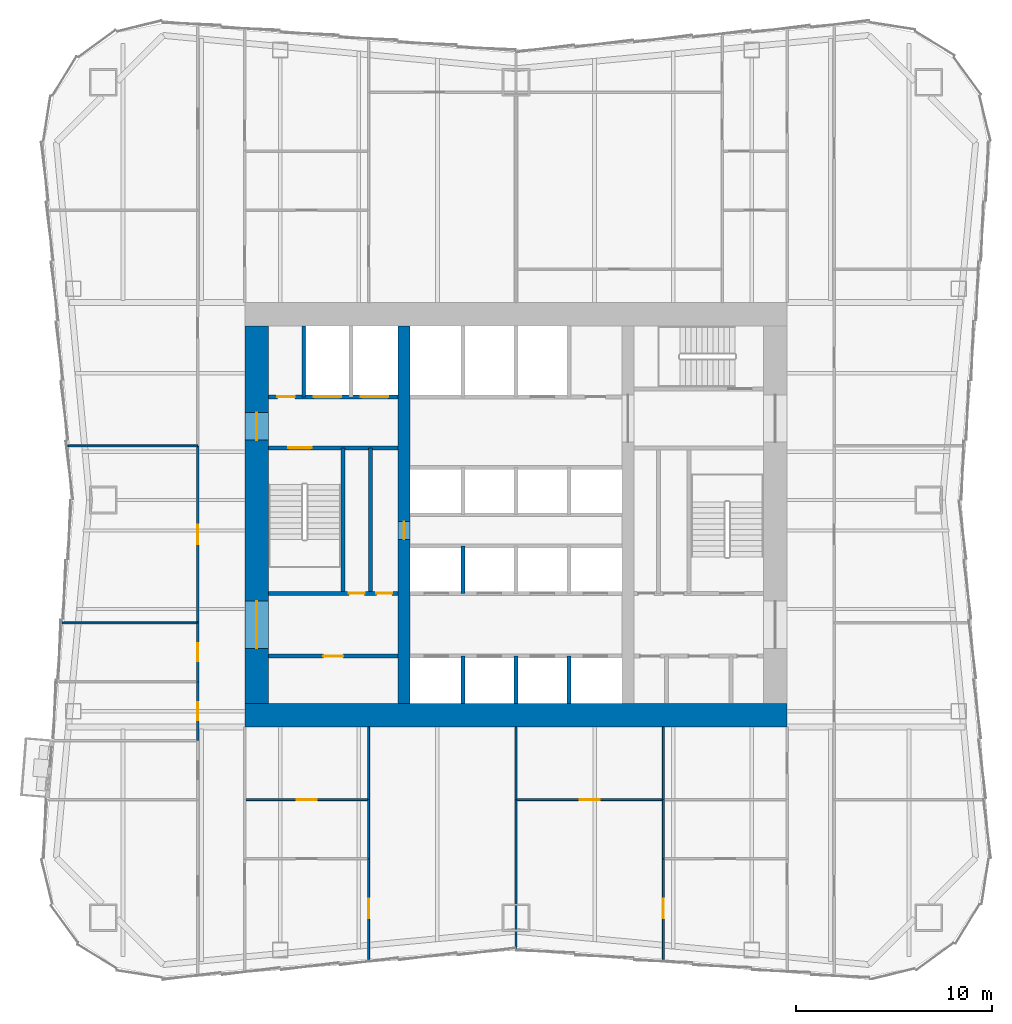
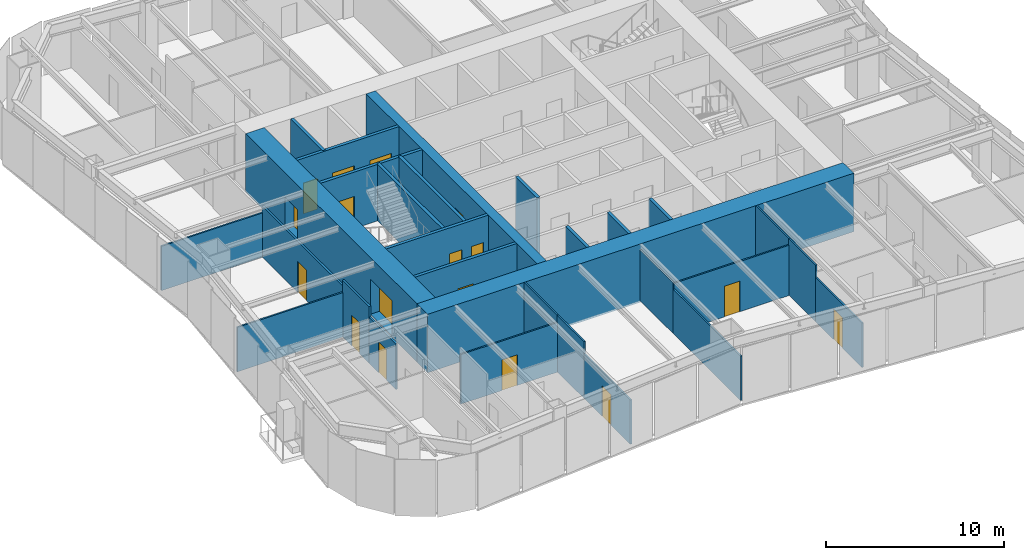
# One storey, part 4 of 9: 29 walls, 17 doors, 17 openings.
"""IFC4 building model written with IfcOpenShell, lengths in metres."""

from ifc_helpers import new_model, si_unit, direction, frame, frame_2d, origin, place, context, subcontext, project, spatial, rectangle, extrude, material, layer, layer_set, type_object, element, fill, save


model = new_model("IFC4")

# Units and contexts
model_context = context("Model", 3, precision=1e-05, world=origin(), true_north=direction((0.0, 1.0)))
body_context = subcontext(model_context, "Body", "Model", "MODEL_VIEW")
ifc_project = project(units=[si_unit("LENGTHUNIT", "METRE"), si_unit("AREAUNIT", "SQUARE_METRE"), si_unit("VOLUMEUNIT", "CUBIC_METRE"), si_unit("PLANEANGLEUNIT", "RADIAN"), si_unit("MASSUNIT", "GRAM", prefix="KILO")], contexts=[model_context])

# Site, building, storey
site_placement = place(None, origin())
site = spatial("IfcSite", under=ifc_project, at=site_placement, CompositionType="ELEMENT")
building_placement = place(site_placement, origin())
building = spatial("IfcBuilding", under=site, at=building_placement, Name="Verdant Reach Tower", CompositionType="ELEMENT")
storey_placement = place(building_placement, frame((0.0, 0.0, 102.0)))
storey = spatial("IfcBuildingStorey", under=building, at=storey_placement, Name="L23", CompositionType="ELEMENT", Elevation=102.0)

# Wall, opening, door
ifc_material_1 = material(Name="Gypsum board on steel studs", Category="steel")
ifc_layer_1 = layer(ifc_material_1, 0.199951171875)
ifc_layer_set_1 = layer_set([ifc_layer_1], Name="CO-WALL-ROOM")
wall_type_1 = type_object("IfcWallType", Name="CO-WALL-ROOM", PredefinedType="PARTITIONING", material=ifc_layer_set_1)
wall_1_placement = place(storey_placement, frame((-12.60009765625, 20.800048828125, 0.0), z_axis=(0.0, 0.0, 1.0), x_axis=(1.0, 0.0, 0.0)))
wall_1 = element("IfcWall", 1, at=wall_1_placement, inside=storey, type_object=wall_type_1, Name="Core partition, L23", PredefinedType="PARTITIONING", context=body_context, shape_type="SweptSolid", body=[
    extrude(rectangle(XDim=6.60009765625, YDim=0.199951171875, at=frame_2d((3.300048828125, 0.0))), origin(), (0.0, 0.0, 1.0), 3.8701171875),
])
opening_1_placement = place(wall_1_placement, frame((2.800048828125, 0.0, 0.0)))
opening_1 = element("IfcOpeningElement", 2, at=opening_1_placement, cuts=wall_1, Name="Opening CD", PredefinedType="OPENING", context=body_context, shape_type="SweptSolid", body=[
    extrude(rectangle(XDim=1.0, YDim=2.10009765625, at=frame_2d((0.5, 1.050048828125))), frame((0.0, 0.10986328125, 0.0), z_axis=(0.0, -1.0, 0.0), x_axis=(1.0, 0.0, 0.0)), (0.0, 0.0, 1.0), 0.219970703125),
])
ifc_material_2 = material(Name="Timber", Category="wood")
door_type_1 = type_object("IfcDoorType", Name="CO-DOOR-ROOM", OperationType="NOTDEFINED", PredefinedType="DOOR", material=ifc_material_2)
door_1_placement = place(opening_1_placement, origin())
door_1 = element("IfcDoor", 3, at=door_1_placement, inside=storey, type_object=door_type_1, Name="Core room door, L23", OperationType="SINGLE_SWING_LEFT", OverallHeight=2.10009765625, OverallWidth=1.0, PredefinedType="DOOR", context=body_context, shape_type="SweptSolid", body=[
    extrude(rectangle(XDim=1.0, YDim=2.10009765625, at=frame_2d((0.5, 1.050048828125))), frame((0.0, 0.02490234375, 0.0), z_axis=(0.0, -1.0, 0.0), x_axis=(1.0, 0.0, 0.0)), (0.0, 0.0, 1.0), 0.050048828125),
])
fill(opening_1, door_1)

# Wall
wall_2_placement = place(storey_placement, frame((-7.39990234375, 24.0, 0.0), z_axis=(0.0, 0.0, 1.0), x_axis=(0.0, 1.0, 0.0)))
element("IfcWall", 4, at=wall_2_placement, inside=storey, type_object=wall_type_1, Name="Core partition, L23", PredefinedType="PARTITIONING", context=body_context, shape_type="SweptSolid", body=[
    extrude(rectangle(XDim=7.39990234375, YDim=0.199951171875, at=frame_2d((3.699951171875, 0.0))), origin(), (0.0, 0.0, 1.0), 3.8701171875),
])

# Wall, openings, doors
ifc_material_3 = material(Name="Concrete C40/50", Category="concrete")
ifc_layer_2 = layer(ifc_material_3, 0.199951171875)
ifc_layer_set_2 = layer_set([ifc_layer_2], Name="CO-WALL-SHAFT")
wall_type_2 = type_object("IfcWallType", Name="CO-WALL-SHAFT", PredefinedType="PARTITIONING", material=ifc_layer_set_2)
wall_3_placement = place(storey_placement, frame((-12.60009765625, 34.0, 0.0), z_axis=(0.0, 0.0, 1.0), x_axis=(1.0, 0.0, 0.0)))
wall_3 = element("IfcWall", 5, at=wall_3_placement, inside=storey, type_object=wall_type_2, Name="Lift shaft wall, L23", PredefinedType="PARTITIONING", context=body_context, shape_type="SweptSolid", body=[
    extrude(rectangle(XDim=6.60009765625, YDim=0.199951171875, at=frame_2d((3.300048828125, 0.0))), origin(), (0.0, 0.0, 1.0), 3.8701171875),
])
opening_2_placement = place(wall_3_placement, frame((4.699951171875, 0.0, 0.0)))
opening_2 = element("IfcOpeningElement", 6, at=opening_2_placement, cuts=wall_3, Name="Opening LD-F1", PredefinedType="OPENING", context=body_context, shape_type="SweptSolid", body=[
    extrude(rectangle(XDim=1.39990234375, YDim=2.199951171875, at=frame_2d((0.699951171875, 1.10009765625))), frame((0.0, 0.10986328125, 0.0), z_axis=(0.0, -1.0, 0.0), x_axis=(1.0, 0.0, 0.0)), (0.0, 0.0, 1.0), 0.219970703125),
])
opening_3_placement = place(wall_3_placement, frame((2.300048828125, 0.0, 0.0)))
opening_3 = element("IfcOpeningElement", 7, at=opening_3_placement, cuts=wall_3, Name="Opening LD-F2", PredefinedType="OPENING", context=body_context, shape_type="SweptSolid", body=[
    extrude(rectangle(XDim=1.39990234375, YDim=2.199951171875, at=frame_2d((0.699951171875, 1.10009765625))), frame((0.0, 0.10986328125, 0.0), z_axis=(0.0, -1.0, 0.0), x_axis=(1.0, 0.0, 0.0)), (0.0, 0.0, 1.0), 0.219970703125),
])
opening_4_placement = place(wall_3_placement, frame((0.449951171875, 0.0, 0.0)))
opening_4 = element("IfcOpeningElement", 8, at=opening_4_placement, cuts=wall_3, Name="Opening RD", PredefinedType="OPENING", context=body_context, shape_type="SweptSolid", body=[
    extrude(rectangle(XDim=0.89990234375, YDim=2.10009765625, at=frame_2d((0.449951171875, 1.050048828125))), frame((0.0, 0.10986328125, 0.0), z_axis=(0.0, -1.0, 0.0), x_axis=(1.0, 0.0, 0.0)), (0.0, 0.0, 1.0), 0.219970703125),
])
ifc_material_4 = material(Name="Stainless steel", Category="steel")
door_type_2 = type_object("IfcDoorType", Name="CO-DOOR-LANDING-FF", OperationType="SLIDING_TO_LEFT", PredefinedType="DOOR", material=ifc_material_4)
door_2_placement = place(opening_2_placement, origin())
door_2 = element("IfcDoor", 9, at=door_2_placement, inside=storey, type_object=door_type_2, Name="Landing door F1, L23", OperationType="SLIDING_TO_LEFT", OverallHeight=2.199951171875, OverallWidth=1.39990234375, PredefinedType="DOOR", context=body_context, shape_type="SweptSolid", body=[
    extrude(rectangle(XDim=1.39990234375, YDim=2.199951171875, at=frame_2d((0.699951171875, 1.10009765625))), frame((0.0, 0.02490234375, 0.0), z_axis=(0.0, -1.0, 0.0), x_axis=(1.0, 0.0, 0.0)), (0.0, 0.0, 1.0), 0.050048828125),
])
fill(opening_2, door_2)
door_3_placement = place(opening_3_placement, origin())
door_3 = element("IfcDoor", 10, at=door_3_placement, inside=storey, type_object=door_type_2, Name="Landing door F2, L23", OperationType="SLIDING_TO_LEFT", OverallHeight=2.199951171875, OverallWidth=1.39990234375, PredefinedType="DOOR", context=body_context, shape_type="SweptSolid", body=[
    extrude(rectangle(XDim=1.39990234375, YDim=2.199951171875, at=frame_2d((0.699951171875, 1.10009765625))), frame((0.0, 0.02490234375, 0.0), z_axis=(0.0, -1.0, 0.0), x_axis=(1.0, 0.0, 0.0)), (0.0, 0.0, 1.0), 0.050048828125),
])
fill(opening_3, door_3)
ifc_material_5 = material(Name="Steel", Category="steel")
door_type_3 = type_object("IfcDoorType", Name="CO-DOOR-RISER", OperationType="NOTDEFINED", PredefinedType="DOOR", material=ifc_material_5)
door_4_placement = place(opening_4_placement, origin())
door_4 = element("IfcDoor", 11, at=door_4_placement, inside=storey, type_object=door_type_3, Name="Core room door, L23", OperationType="SINGLE_SWING_RIGHT", OverallHeight=2.10009765625, OverallWidth=0.89990234375, PredefinedType="DOOR", context=body_context, shape_type="SweptSolid", body=[
    extrude(rectangle(XDim=0.89990234375, YDim=2.10009765625, at=frame_2d((0.449951171875, 1.050048828125))), frame((0.0, 0.02490234375, 0.0), z_axis=(0.0, -1.0, 0.0), x_axis=(1.0, 0.0, 0.0)), (0.0, 0.0, 1.0), 0.050048828125),
])
fill(opening_4, door_4)

# Walls
wall_4_placement = place(storey_placement, frame((-10.800048828125, 34.0, 0.0), z_axis=(0.0, 0.0, 1.0), x_axis=(0.0, 1.0, 0.0)))
element("IfcWall", 12, at=wall_4_placement, inside=storey, type_object=wall_type_2, Name="Lift shaft wall, L23", PredefinedType="PARTITIONING", context=body_context, shape_type="SweptSolid", body=[
    extrude(rectangle(XDim=3.60009765625, YDim=0.199951171875, at=frame_2d((1.800048828125, 0.0))), origin(), (0.0, 0.0, 1.0), 3.8701171875),
])
wall_5_placement = place(storey_placement, frame((-2.699951171875, 18.39990234375, 0.0), z_axis=(0.0, 0.0, 1.0), x_axis=(0.0, 1.0, 0.0)))
element("IfcWall", 13, at=wall_5_placement, inside=storey, type_object=wall_type_2, Name="Lift shaft wall, L23", PredefinedType="PARTITIONING", context=body_context, shape_type="SweptSolid", body=[
    extrude(rectangle(XDim=2.400146484375, YDim=0.199951171875, at=frame_2d((1.2001953125, 0.0))), origin(), (0.0, 0.0, 1.0), 3.8701171875),
])
wall_6_placement = place(storey_placement, frame((-2.699951171875, 24.0, 0.0), z_axis=(0.0, 0.0, 1.0), x_axis=(0.0, 1.0, 0.0)))
element("IfcWall", 14, at=wall_6_placement, inside=storey, type_object=wall_type_2, Name="Lift shaft wall, L23", PredefinedType="PARTITIONING", context=body_context, shape_type="SweptSolid", body=[
    extrude(rectangle(XDim=2.39990234375, YDim=0.199951171875, at=frame_2d((1.199951171875, 0.0))), origin(), (0.0, 0.0, 1.0), 3.8701171875),
])
for number, where, z_axis, x_axis, name in (
    (15, (0.0, 18.39990234375, 0.0), (0.0, 0.0, 1.0), (0.0, 1.0, 0.0), "Lift shaft wall, L23"),
    (16, (2.699951171875, 18.39990234375, 0.0), (0.0, 0.0, 1.0), (0.0, 1.0, 0.0), "Lift shaft wall, L23"),
):
    element("IfcWall", number, at=place(storey_placement, frame(where, z_axis=z_axis, x_axis=x_axis)), inside=storey, type_object=wall_type_2, Name=name, PredefinedType="PARTITIONING", context=body_context, shape_type="SweptSolid", body=[
        extrude(rectangle(XDim=2.400146484375, YDim=0.199951171875, at=frame_2d((1.2001953125, 0.0))), origin(), (0.0, 0.0, 1.0), 3.8701171875),
    ])

# Wall, openings, doors
ifc_layer_3 = layer(ifc_material_3, 0.199951171875)
ifc_layer_set_3 = layer_set([ifc_layer_3], Name="CO-WALL-STAIR")
wall_type_3 = type_object("IfcWallType", Name="CO-WALL-STAIR", PredefinedType="PARTITIONING", material=ifc_layer_set_3)
wall_7_placement = place(storey_placement, frame((-12.60009765625, 24.0, 0.0), z_axis=(0.0, 0.0, 1.0), x_axis=(1.0, 0.0, 0.0)))
wall_7 = element("IfcWall", 17, at=wall_7_placement, inside=storey, type_object=wall_type_3, Name="Stair enclosure wall, L23", PredefinedType="PARTITIONING", context=body_context, shape_type="SweptSolid", body=[
    extrude(rectangle(XDim=6.60009765625, YDim=0.199951171875, at=frame_2d((3.300048828125, 0.0))), origin(), (0.0, 0.0, 1.0), 3.8701171875),
])
opening_5_placement = place(wall_7_placement, frame((4.10009765625, 0.0, 0.0)))
opening_5 = element("IfcOpeningElement", 18, at=opening_5_placement, cuts=wall_7, Name="Opening CDN", PredefinedType="OPENING", context=body_context, shape_type="SweptSolid", body=[
    extrude(rectangle(XDim=0.800048828125, YDim=2.10009765625, at=frame_2d((0.39990234375, 1.050048828125))), frame((0.0, 0.10986328125, 0.0), z_axis=(0.0, -1.0, 0.0), x_axis=(1.0, 0.0, 0.0)), (0.0, 0.0, 1.0), 0.219970703125),
])
opening_6_placement = place(wall_7_placement, frame((5.5, 0.0, 0.0)))
opening_6 = element("IfcOpeningElement", 19, at=opening_6_placement, cuts=wall_7, Name="Opening CDN", PredefinedType="OPENING", context=body_context, shape_type="SweptSolid", body=[
    extrude(rectangle(XDim=0.800048828125, YDim=2.10009765625, at=frame_2d((0.39990234375, 1.050048828125))), frame((0.0, 0.10986328125, 0.0), z_axis=(0.0, -1.0, 0.0), x_axis=(1.0, 0.0, 0.0)), (0.0, 0.0, 1.0), 0.219970703125),
])
door_type_4 = type_object("IfcDoorType", Name="CO-DOOR-ROOM-NARROW", OperationType="NOTDEFINED", PredefinedType="DOOR", material=ifc_material_2)
door_5_placement = place(opening_5_placement, origin())
door_5 = element("IfcDoor", 20, at=door_5_placement, inside=storey, type_object=door_type_4, Name="Core room door, L23", OperationType="SINGLE_SWING_LEFT", OverallHeight=2.10009765625, OverallWidth=0.800048828125, PredefinedType="DOOR", context=body_context, shape_type="SweptSolid", body=[
    extrude(rectangle(XDim=0.800048828125, YDim=2.10009765625, at=frame_2d((0.39990234375, 1.050048828125))), frame((0.0, 0.02490234375, 0.0), z_axis=(0.0, -1.0, 0.0), x_axis=(1.0, 0.0, 0.0)), (0.0, 0.0, 1.0), 0.050048828125),
])
fill(opening_5, door_5)
door_6_placement = place(opening_6_placement, origin())
door_6 = element("IfcDoor", 21, at=door_6_placement, inside=storey, type_object=door_type_4, Name="Core room door, L23", OperationType="SINGLE_SWING_RIGHT", OverallHeight=2.10009765625, OverallWidth=0.800048828125, PredefinedType="DOOR", context=body_context, shape_type="SweptSolid", body=[
    extrude(rectangle(XDim=0.800048828125, YDim=2.10009765625, at=frame_2d((0.39990234375, 1.050048828125))), frame((0.0, 0.02490234375, 0.0), z_axis=(0.0, -1.0, 0.0), x_axis=(1.0, 0.0, 0.0)), (0.0, 0.0, 1.0), 0.050048828125),
])
fill(opening_6, door_6)

# Wall, opening, door
wall_8_placement = place(storey_placement, frame((-12.60009765625, 31.39990234375, 0.0), z_axis=(0.0, 0.0, 1.0), x_axis=(1.0, 0.0, 0.0)))
wall_8 = element("IfcWall", 22, at=wall_8_placement, inside=storey, type_object=wall_type_3, Name="Stair enclosure wall, L23", PredefinedType="PARTITIONING", context=body_context, shape_type="SweptSolid", body=[
    extrude(rectangle(XDim=6.60009765625, YDim=0.199951171875, at=frame_2d((3.300048828125, 0.0))), origin(), (0.0, 0.0, 1.0), 3.8701171875),
])
opening_7_placement = place(wall_8_placement, frame((1.0, 0.0, 0.0)))
opening_7 = element("IfcOpeningElement", 23, at=opening_7_placement, cuts=wall_8, Name="Opening SD", PredefinedType="OPENING", context=body_context, shape_type="SweptSolid", body=[
    extrude(rectangle(XDim=1.199951171875, YDim=2.199951171875, at=frame_2d((0.60009765625, 1.10009765625))), frame((0.0, 0.10986328125, 0.0), z_axis=(0.0, -1.0, 0.0), x_axis=(1.0, 0.0, 0.0)), (0.0, 0.0, 1.0), 0.219970703125),
])
door_type_5 = type_object("IfcDoorType", Name="CO-DOOR-STAIR", OperationType="NOTDEFINED", PredefinedType="DOOR", material=ifc_material_5)
door_7_placement = place(opening_7_placement, origin())
door_7 = element("IfcDoor", 24, at=door_7_placement, inside=storey, type_object=door_type_5, Name="Stair door, L23", OperationType="SINGLE_SWING_RIGHT", OverallHeight=2.199951171875, OverallWidth=1.199951171875, PredefinedType="DOOR", context=body_context, shape_type="SweptSolid", body=[
    extrude(rectangle(XDim=1.199951171875, YDim=2.199951171875, at=frame_2d((0.60009765625, 1.10009765625))), frame((0.0, 0.02490234375, 0.0), z_axis=(0.0, -1.0, 0.0), x_axis=(1.0, 0.0, 0.0)), (0.0, 0.0, 1.0), 0.050048828125),
])
fill(opening_7, door_7)

# Walls
wall_9_placement = place(storey_placement, frame((-8.800048828125, 24.0, 0.0), z_axis=(0.0, 0.0, 1.0), x_axis=(0.0, 1.0, 0.0)))
element("IfcWall", 25, at=wall_9_placement, inside=storey, type_object=wall_type_3, Name="Stair enclosure wall, L23", PredefinedType="PARTITIONING", context=body_context, shape_type="SweptSolid", body=[
    extrude(rectangle(XDim=7.39990234375, YDim=0.199951171875, at=frame_2d((3.699951171875, 0.0))), origin(), (0.0, 0.0, 1.0), 3.8701171875),
])
ifc_layer_4 = layer(ifc_material_1, 0.10009765625)
ifc_layer_set_4 = layer_set([ifc_layer_4], Name="FL-W1 Partition 100")
wall_type_4 = type_object("IfcWallType", Name="FL-W1 Partition 100", PredefinedType="PARTITIONING", material=ifc_layer_set_4)
wall_10_placement = place(storey_placement, frame((-16.199951171875, 22.5, 0.0), z_axis=(0.0, 0.0, 1.0), x_axis=(-1.0, 0.0, 0.0)))
element("IfcWall", 26, at=wall_10_placement, inside=storey, type_object=wall_type_4, Name="Partition 23.28", PredefinedType="PARTITIONING", context=body_context, shape_type="SweptSolid", body=[
    extrude(rectangle(XDim=6.893798828125, YDim=0.10009765625, at=frame_2d((3.44677734375, 0.0))), origin(), (0.0, 0.0, 1.0), 3.0400390625),
])
wall_11_placement = place(storey_placement, frame((-16.199951171875, 31.5, 0.0), z_axis=(0.0, 0.0, 1.0), x_axis=(-1.0, 0.0, 0.0)))
element("IfcWall", 27, at=wall_11_placement, inside=storey, type_object=wall_type_4, Name="Partition 23.29", PredefinedType="PARTITIONING", context=body_context, shape_type="SweptSolid", body=[
    extrude(rectangle(XDim=6.60595703125, YDim=0.10009765625, at=frame_2d((3.302978515625, 0.0))), origin(), (0.0, 0.0, 1.0), 3.0400390625),
])

# Wall, opening, door
wall_12_placement = place(storey_placement, frame((-7.5, 10.50390625, 0.0), z_axis=(0.0, 0.0, 1.0), x_axis=(0.0, -1.0, 0.0)))
wall_12 = element("IfcWall", 28, at=wall_12_placement, inside=storey, type_object=wall_type_4, Name="Partition 23.36", PredefinedType="PARTITIONING", context=body_context, shape_type="SweptSolid", body=[
    extrude(rectangle(XDim=5.208984375, YDim=0.10009765625, at=frame_2d((2.6044921875, 0.0))), origin(), (0.0, 0.0, 1.0), 3.0400390625),
])
opening_8_placement = place(wall_12_placement, frame((2.039306640625, 0.0, 0.0)))
opening_8 = element("IfcOpeningElement", 29, at=opening_8_placement, cuts=wall_12, Name="Opening D3", PredefinedType="OPENING", context=body_context, shape_type="SweptSolid", body=[
    extrude(rectangle(XDim=1.0, YDim=2.10009765625, at=frame_2d((0.5, 1.050048828125))), frame((0.0, 0.06005859375, 0.0), z_axis=(0.0, -1.0, 0.0), x_axis=(1.0, 0.0, 0.0)), (0.0, 0.0, 1.0), 0.1201171875),
])
ifc_material_6 = material(Name="Painted timber door leaf", Category="wood")
door_type_6 = type_object("IfcDoorType", Name="FL-D3 Door 1000x2100", OperationType="NOTDEFINED", PredefinedType="DOOR", material=ifc_material_6)
door_8_placement = place(opening_8_placement, origin())
door_8 = element("IfcDoor", 30, at=door_8_placement, inside=storey, type_object=door_type_6, Name="Door 23-020", OperationType="SINGLE_SWING_LEFT", OverallHeight=2.10009765625, OverallWidth=1.0, PredefinedType="DOOR", context=body_context, shape_type="SweptSolid", body=[
    extrude(rectangle(XDim=1.0, YDim=2.10009765625, at=frame_2d((0.5, 1.050048828125))), frame((0.0, 0.02490234375, 0.0), z_axis=(0.0, -1.0, 0.0), x_axis=(1.0, 0.0, 0.0)), (0.0, 0.0, 1.0), 0.050048828125),
])
fill(opening_8, door_8)

wall_13_placement = place(storey_placement, frame((-13.800048828125, 13.5, 0.0), z_axis=(0.0, 0.0, 1.0), x_axis=(1.0, 0.0, 0.0)))
wall_13 = element("IfcWall", 31, at=wall_13_placement, inside=storey, type_object=wall_type_4, Name="Partition 23.37", PredefinedType="PARTITIONING", context=body_context, shape_type="SweptSolid", body=[
    extrude(rectangle(XDim=6.300048828125, YDim=0.10009765625, at=frame_2d((3.14990234375, 0.0))), origin(), (0.0, 0.0, 1.0), 3.389892578125),
])
opening_9_placement = place(wall_13_placement, frame((2.64990234375, 0.0, 0.0)))
opening_9 = element("IfcOpeningElement", 32, at=opening_9_placement, cuts=wall_13, Name="Opening D3", PredefinedType="OPENING", context=body_context, shape_type="SweptSolid", body=[
    extrude(rectangle(XDim=1.0, YDim=2.10009765625, at=frame_2d((0.5, 1.050048828125))), frame((0.0, 0.06005859375, 0.0), z_axis=(0.0, -1.0, 0.0), x_axis=(1.0, 0.0, 0.0)), (0.0, 0.0, 1.0), 0.1201171875),
])
door_9_placement = place(opening_9_placement, origin())
door_9 = element("IfcDoor", 33, at=door_9_placement, inside=storey, type_object=door_type_6, Name="Door 23-021", OperationType="SINGLE_SWING_LEFT", OverallHeight=2.10009765625, OverallWidth=1.0, PredefinedType="DOOR", context=body_context, shape_type="SweptSolid", body=[
    extrude(rectangle(XDim=1.0, YDim=2.10009765625, at=frame_2d((0.5, 1.050048828125))), frame((0.0, 0.02490234375, 0.0), z_axis=(0.0, -1.0, 0.0), x_axis=(1.0, 0.0, 0.0)), (0.0, 0.0, 1.0), 0.050048828125),
])
fill(opening_9, door_9)

# Walls
wall_14_placement = place(storey_placement, frame((-7.5, 10.49609375, 0.0), z_axis=(0.0, 0.0, 1.0), x_axis=(0.0, 1.0, 0.0)))
element("IfcWall", 34, at=wall_14_placement, inside=storey, type_object=wall_type_4, Name="Partition 23.38", PredefinedType="PARTITIONING", context=body_context, shape_type="SweptSolid", body=[
    extrude(rectangle(XDim=3.0078125, YDim=0.10009765625, at=frame_2d((1.50390625, 0.0))), origin(), (0.0, 0.0, 1.0), 3.8701171875),
])
wall_15_placement = place(storey_placement, frame((-7.5, 13.49609375, 0.0), z_axis=(0.0, 0.0, 1.0), x_axis=(0.0, 1.0, 0.0)))
element("IfcWall", 35, at=wall_15_placement, inside=storey, type_object=wall_type_4, Name="Partition 23.39", PredefinedType="PARTITIONING", context=body_context, shape_type="SweptSolid", body=[
    extrude(rectangle(XDim=3.703857421875, YDim=0.10009765625, at=frame_2d((1.85205078125, 0.0))), origin(), (0.0, 0.0, 1.0), 3.8701171875),
])
wall_16_placement = place(storey_placement, frame((0.0, 5.919921875, 0.0), z_axis=(0.0, 0.0, 1.0), x_axis=(0.0, 1.0, 0.0)))
element("IfcWall", 36, at=wall_16_placement, inside=storey, type_object=wall_type_4, Name="Partition 23.40", PredefinedType="PARTITIONING", context=body_context, shape_type="SweptSolid", body=[
    extrude(rectangle(XDim=7.580078125, YDim=0.10009765625, at=frame_2d((3.7900390625, 0.0))), origin(), (0.0, 0.0, 1.0), 3.0400390625),
])
wall_17_placement = place(storey_placement, frame((0.0, 13.5, 0.0), z_axis=(0.0, 0.0, 1.0), x_axis=(0.0, 1.0, 0.0)))
element("IfcWall", 37, at=wall_17_placement, inside=storey, type_object=wall_type_4, Name="Partition 23.41", PredefinedType="PARTITIONING", context=body_context, shape_type="SweptSolid", body=[
    extrude(rectangle(XDim=3.699951171875, YDim=0.10009765625, at=frame_2d((1.85009765625, 0.0))), origin(), (0.0, 0.0, 1.0), 3.47998046875),
])

# Wall, opening, door
wall_18_placement = place(storey_placement, frame((7.5, 5.294921875, 0.0), z_axis=(0.0, 0.0, 1.0), x_axis=(0.0, 1.0, 0.0)))
wall_18 = element("IfcWall", 38, at=wall_18_placement, inside=storey, type_object=wall_type_4, Name="Partition 23.43", PredefinedType="PARTITIONING", context=body_context, shape_type="SweptSolid", body=[
    extrude(rectangle(XDim=5.208984375, YDim=0.10009765625, at=frame_2d((2.6044921875, 0.0))), origin(), (0.0, 0.0, 1.0), 3.0400390625),
])
opening_10_placement = place(wall_18_placement, frame((2.169677734375, 0.0, 0.0)))
opening_10 = element("IfcOpeningElement", 39, at=opening_10_placement, cuts=wall_18, Name="Opening D3", PredefinedType="OPENING", context=body_context, shape_type="SweptSolid", body=[
    extrude(rectangle(XDim=1.0, YDim=2.10009765625, at=frame_2d((0.5, 1.050048828125))), frame((0.0, 0.06005859375, 0.0), z_axis=(0.0, -1.0, 0.0), x_axis=(1.0, 0.0, 0.0)), (0.0, 0.0, 1.0), 0.1201171875),
])
door_10_placement = place(opening_10_placement, origin())
door_10 = element("IfcDoor", 40, at=door_10_placement, inside=storey, type_object=door_type_6, Name="Door 23-023", OperationType="SINGLE_SWING_RIGHT", OverallHeight=2.10009765625, OverallWidth=1.0, PredefinedType="DOOR", context=body_context, shape_type="SweptSolid", body=[
    extrude(rectangle(XDim=1.0, YDim=2.10009765625, at=frame_2d((0.5, 1.050048828125))), frame((0.0, 0.02490234375, 0.0), z_axis=(0.0, -1.0, 0.0), x_axis=(1.0, 0.0, 0.0)), (0.0, 0.0, 1.0), 0.050048828125),
])
fill(opening_10, door_10)

# Walls
wall_19_placement = place(storey_placement, frame((7.5, 13.5, 0.0), z_axis=(0.0, 0.0, 1.0), x_axis=(0.0, -1.0, 0.0)))
element("IfcWall", 41, at=wall_19_placement, inside=storey, type_object=wall_type_4, Name="Partition 23.45", PredefinedType="PARTITIONING", context=body_context, shape_type="SweptSolid", body=[
    extrude(rectangle(XDim=3.00390625, YDim=0.10009765625, at=frame_2d((1.501953125, 0.0))), origin(), (0.0, 0.0, 1.0), 3.8701171875),
])
wall_20_placement = place(storey_placement, frame((7.5, 17.199951171875, 0.0), z_axis=(0.0, 0.0, 1.0), x_axis=(0.0, -1.0, 0.0)))
element("IfcWall", 42, at=wall_20_placement, inside=storey, type_object=wall_type_4, Name="Partition 23.46", PredefinedType="PARTITIONING", context=body_context, shape_type="SweptSolid", body=[
    extrude(rectangle(XDim=3.699951171875, YDim=0.10009765625, at=frame_2d((1.85009765625, 0.0))), origin(), (0.0, 0.0, 1.0), 3.8701171875),
])

# Wall, opening, door
wall_21_placement = place(storey_placement, frame((0.0, 13.5, 0.0), z_axis=(0.0, 0.0, 1.0), x_axis=(1.0, 0.0, 0.0)))
wall_21 = element("IfcWall", 43, at=wall_21_placement, inside=storey, type_object=wall_type_4, Name="Partition 23.47", PredefinedType="PARTITIONING", context=body_context, shape_type="SweptSolid", body=[
    extrude(rectangle(XDim=7.5, YDim=0.10009765625, at=frame_2d((3.75, 0.0))), origin(), (0.0, 0.0, 1.0), 3.43994140625),
])
opening_11_placement = place(wall_21_placement, frame((3.25, 0.0, 0.0)))
opening_11 = element("IfcOpeningElement", 44, at=opening_11_placement, cuts=wall_21, Name="Opening D3", PredefinedType="OPENING", context=body_context, shape_type="SweptSolid", body=[
    extrude(rectangle(XDim=1.0, YDim=2.10009765625, at=frame_2d((0.5, 1.050048828125))), frame((0.0, 0.06005859375, 0.0), z_axis=(0.0, -1.0, 0.0), x_axis=(1.0, 0.0, 0.0)), (0.0, 0.0, 1.0), 0.1201171875),
])
door_11_placement = place(opening_11_placement, origin())
door_11 = element("IfcDoor", 45, at=door_11_placement, inside=storey, type_object=door_type_6, Name="Door 23-024", OperationType="SINGLE_SWING_RIGHT", OverallHeight=2.10009765625, OverallWidth=1.0, PredefinedType="DOOR", context=body_context, shape_type="SweptSolid", body=[
    extrude(rectangle(XDim=1.0, YDim=2.10009765625, at=frame_2d((0.5, 1.050048828125))), frame((0.0, 0.02490234375, 0.0), z_axis=(0.0, -1.0, 0.0), x_axis=(1.0, 0.0, 0.0)), (0.0, 0.0, 1.0), 0.050048828125),
])
fill(opening_11, door_11)

ifc_material_7 = material(Name="Gypsum board on steel studs, fire rated", Category="steel")
ifc_layer_5 = layer(ifc_material_7, 0.125)
ifc_layer_set_5 = layer_set([ifc_layer_5], Name="FL-W2 Corridor wall 125")
wall_type_5 = type_object("IfcWallType", Name="FL-W2 Corridor wall 125", PredefinedType="PARTITIONING", material=ifc_layer_set_5)
wall_22_placement = place(storey_placement, frame((-16.199951171875, 16.5, 0.0), z_axis=(0.0, 0.0, 1.0), x_axis=(0.0, 1.0, 0.0)))
wall_22 = element("IfcWall", 46, at=wall_22_placement, inside=storey, type_object=wall_type_5, Name="Partition 23.03", PredefinedType="PARTITIONING", context=body_context, shape_type="SweptSolid", body=[
    extrude(rectangle(XDim=3.0, YDim=0.125, at=frame_2d((1.5, 0.0))), origin(), (0.0, 0.0, 1.0), 3.139892578125),
])
opening_12_placement = place(wall_22_placement, frame((1.050048828125, 0.0, 0.0)))
opening_12 = element("IfcOpeningElement", 47, at=opening_12_placement, cuts=wall_22, Name="Opening D1", PredefinedType="OPENING", context=body_context, shape_type="SweptSolid", body=[
    extrude(rectangle(XDim=0.89990234375, YDim=2.10009765625, at=frame_2d((0.449951171875, 1.050048828125))), frame((0.0, 0.072509765625, 0.0), z_axis=(0.0, -1.0, 0.0), x_axis=(1.0, 0.0, 0.0)), (0.0, 0.0, 1.0), 0.14501953125),
])
door_type_7 = type_object("IfcDoorType", Name="FL-D1 Door 900x2100", OperationType="NOTDEFINED", PredefinedType="DOOR", material=ifc_material_6)
door_12_placement = place(opening_12_placement, origin())
door_12 = element("IfcDoor", 48, at=door_12_placement, inside=storey, type_object=door_type_7, Name="Door 23-003", OperationType="SINGLE_SWING_LEFT", OverallHeight=2.10009765625, OverallWidth=0.89990234375, PredefinedType="DOOR", context=body_context, shape_type="SweptSolid", body=[
    extrude(rectangle(XDim=0.89990234375, YDim=2.10009765625, at=frame_2d((0.449951171875, 1.050048828125))), frame((0.0, 0.02490234375, 0.0), z_axis=(0.0, -1.0, 0.0), x_axis=(1.0, 0.0, 0.0)), (0.0, 0.0, 1.0), 0.050048828125),
])
fill(opening_12, door_12)

wall_23_placement = place(storey_placement, frame((-16.199951171875, 19.5, 0.0), z_axis=(0.0, 0.0, 1.0), x_axis=(0.0, 1.0, 0.0)))
wall_23 = element("IfcWall", 49, at=wall_23_placement, inside=storey, type_object=wall_type_5, Name="Partition 23.04", PredefinedType="PARTITIONING", context=body_context, shape_type="SweptSolid", body=[
    extrude(rectangle(XDim=3.0, YDim=0.125, at=frame_2d((1.5, 0.0))), origin(), (0.0, 0.0, 1.0), 3.8701171875),
])
opening_13_placement = place(wall_23_placement, frame((1.050048828125, 0.0, 0.0)))
opening_13 = element("IfcOpeningElement", 50, at=opening_13_placement, cuts=wall_23, Name="Opening D1", PredefinedType="OPENING", context=body_context, shape_type="SweptSolid", body=[
    extrude(rectangle(XDim=0.89990234375, YDim=2.10009765625, at=frame_2d((0.449951171875, 1.050048828125))), frame((0.0, 0.072509765625, 0.0), z_axis=(0.0, -1.0, 0.0), x_axis=(1.0, 0.0, 0.0)), (0.0, 0.0, 1.0), 0.14501953125),
])
door_13_placement = place(opening_13_placement, origin())
door_13 = element("IfcDoor", 51, at=door_13_placement, inside=storey, type_object=door_type_7, Name="Door 23-004", OperationType="SINGLE_SWING_RIGHT", OverallHeight=2.10009765625, OverallWidth=0.89990234375, PredefinedType="DOOR", context=body_context, shape_type="SweptSolid", body=[
    extrude(rectangle(XDim=0.89990234375, YDim=2.10009765625, at=frame_2d((0.449951171875, 1.050048828125))), frame((0.0, 0.02490234375, 0.0), z_axis=(0.0, -1.0, 0.0), x_axis=(1.0, 0.0, 0.0)), (0.0, 0.0, 1.0), 0.050048828125),
])
fill(opening_13, door_13)

wall_24_placement = place(storey_placement, frame((-16.199951171875, 22.5, 0.0), z_axis=(0.0, 0.0, 1.0), x_axis=(0.0, 1.0, 0.0)))
wall_24 = element("IfcWall", 52, at=wall_24_placement, inside=storey, type_object=wall_type_5, Name="Partition 23.05", PredefinedType="PARTITIONING", context=body_context, shape_type="SweptSolid", body=[
    extrude(rectangle(XDim=9.0, YDim=0.125, at=frame_2d((4.5, 0.0))), origin(), (0.0, 0.0, 1.0), 3.47998046875),
])
opening_14_placement = place(wall_24_placement, frame((4.0, 0.0, 0.0)))
opening_14 = element("IfcOpeningElement", 53, at=opening_14_placement, cuts=wall_24, Name="Opening D2", PredefinedType="OPENING", context=body_context, shape_type="SweptSolid", body=[
    extrude(rectangle(XDim=1.0, YDim=2.10009765625, at=frame_2d((0.5, 1.050048828125))), frame((0.0, 0.072509765625, 0.0), z_axis=(0.0, -1.0, 0.0), x_axis=(1.0, 0.0, 0.0)), (0.0, 0.0, 1.0), 0.14501953125),
])
ifc_material_8 = material(Name="Timber door leaf, fire rated", Category="wood")
door_type_8 = type_object("IfcDoorType", Name="FL-D2 Entrance door 1000x2100 FD30", OperationType="NOTDEFINED", PredefinedType="DOOR", material=ifc_material_8)
door_14_placement = place(opening_14_placement, origin())
door_14 = element("IfcDoor", 54, at=door_14_placement, inside=storey, type_object=door_type_8, Name="Door 23-005", OperationType="SINGLE_SWING_LEFT", OverallHeight=2.10009765625, OverallWidth=1.0, PredefinedType="DOOR", context=body_context, shape_type="SweptSolid", body=[
    extrude(rectangle(XDim=1.0, YDim=2.10009765625, at=frame_2d((0.5, 1.050048828125))), frame((0.0, 0.02490234375, 0.0), z_axis=(0.0, -1.0, 0.0), x_axis=(1.0, 0.0, 0.0)), (0.0, 0.0, 1.0), 0.050048828125),
])
fill(opening_14, door_14)

# Wall
ifc_material_9 = material(Name="Concrete C70/85", Category="concrete")
ifc_layer_6 = layer(ifc_material_9, 1.199951171875)
ifc_layer_set_6 = layer_set([ifc_layer_6], Name="ST-CORE-WALL-1200")
wall_type_6 = type_object("IfcWallType", Name="ST-CORE-WALL-1200", PredefinedType="SHEAR", material=ifc_layer_set_6)
wall_25_placement = place(storey_placement, frame((-13.800048828125, 17.800048828125, -0.1298828125), z_axis=(0.0, 0.0, 1.0), x_axis=(1.0, 0.0, 0.0)))
element("IfcWall", 55, at=wall_25_placement, inside=storey, type_object=wall_type_6, Name="Core wall S, L23", PredefinedType="SHEAR", context=body_context, shape_type="SweptSolid", body=[
    extrude(rectangle(XDim=27.60009765625, YDim=1.199951171875, at=frame_2d((13.800048828125, 0.0))), origin(), (0.0, 0.0, 1.0), 4.0),
])

# Wall, openings, doors
wall_26_placement = place(storey_placement, frame((-13.199951171875, 18.39990234375, -0.1298828125), z_axis=(0.0, 0.0, 1.0), x_axis=(0.0, 1.0, 0.0)))
wall_26 = element("IfcWall", 56, at=wall_26_placement, inside=storey, type_object=wall_type_6, Name="Core wall W, L23", PredefinedType="SHEAR", context=body_context, shape_type="SweptSolid", body=[
    extrude(rectangle(XDim=19.2001953125, YDim=1.199951171875, at=frame_2d((9.60009765625, 0.0))), origin(), (0.0, 0.0, 1.0), 4.0),
])
opening_15_placement = place(wall_26_placement, frame((2.800048828125, 0.0, 0.1298828125)))
opening_15 = element("IfcOpeningElement", 57, at=opening_15_placement, cuts=wall_26, Name="Opening LB", PredefinedType="OPENING", context=body_context, shape_type="SweptSolid", body=[
    extrude(rectangle(XDim=2.39990234375, YDim=2.39990234375, at=frame_2d((1.199951171875, 1.199951171875))), frame((0.0, 0.60986328125, 0.0), z_axis=(0.0, -1.0, 0.0), x_axis=(1.0, 0.0, 0.0)), (0.0, 0.0, 1.0), 1.219970703125),
])
opening_16_placement = place(wall_26_placement, frame((13.39990234375, 0.0, 0.1298828125)))
opening_16 = element("IfcOpeningElement", 58, at=opening_16_placement, cuts=wall_26, Name="Opening FL", PredefinedType="OPENING", context=body_context, shape_type="SweptSolid", body=[
    extrude(rectangle(XDim=1.39990234375, YDim=2.199951171875, at=frame_2d((0.699951171875, 1.10009765625))), frame((0.0, 0.60986328125, 0.0), z_axis=(0.0, -1.0, 0.0), x_axis=(1.0, 0.0, 0.0)), (0.0, 0.0, 1.0), 1.219970703125),
])
door_type_9 = type_object("IfcDoorType", Name="CO-DOOR-FFL", OperationType="NOTDEFINED", PredefinedType="DOOR", material=ifc_material_5)
door_15_placement = place(opening_16_placement, origin())
door_15 = element("IfcDoor", 59, at=door_15_placement, inside=storey, type_object=door_type_9, Name="Core entrance door, L23", OperationType="SINGLE_SWING_RIGHT", OverallHeight=2.199951171875, OverallWidth=1.39990234375, PredefinedType="DOOR", context=body_context, shape_type="SweptSolid", body=[
    extrude(rectangle(XDim=1.39990234375, YDim=2.199951171875, at=frame_2d((0.699951171875, 1.10009765625))), frame((0.0, 0.02490234375, 0.0), z_axis=(0.0, -1.0, 0.0), x_axis=(1.0, 0.0, 0.0)), (0.0, 0.0, 1.0), 0.050048828125),
])
fill(opening_16, door_15)
ifc_material_10 = material(Name="Glass and steel", Category="steel")
door_type_10 = type_object("IfcDoorType", Name="CO-DOOR-LOBBY", OperationType="DOUBLE_DOOR_SINGLE_SWING", PredefinedType="DOOR", material=ifc_material_10)
door_16_placement = place(opening_15_placement, origin())
door_16 = element("IfcDoor", 60, at=door_16_placement, inside=storey, type_object=door_type_10, Name="Core entrance door, L23", OperationType="DOUBLE_DOOR_SINGLE_SWING", OverallHeight=2.39990234375, OverallWidth=2.39990234375, PredefinedType="DOOR", context=body_context, shape_type="SweptSolid", body=[
    extrude(rectangle(XDim=2.39990234375, YDim=2.39990234375, at=frame_2d((1.199951171875, 1.199951171875))), frame((0.0, 0.02490234375, 0.0), z_axis=(0.0, -1.0, 0.0), x_axis=(1.0, 0.0, 0.0)), (0.0, 0.0, 1.0), 0.050048828125),
])
fill(opening_15, door_16)

# Wall, opening, door
ifc_layer_7 = layer(ifc_material_9, 0.60009765625)
ifc_layer_set_7 = layer_set([ifc_layer_7], Name="ST-CORE-WALL-600")
wall_type_7 = type_object("IfcWallType", Name="ST-CORE-WALL-600", PredefinedType="SHEAR", material=ifc_layer_set_7)
wall_27_placement = place(storey_placement, frame((-5.699951171875, 18.39990234375, -0.1298828125), z_axis=(0.0, 0.0, 1.0), x_axis=(0.0, 1.0, 0.0)))
wall_27 = element("IfcWall", 61, at=wall_27_placement, inside=storey, type_object=wall_type_7, Name="Core wall XW, L23", PredefinedType="SHEAR", context=body_context, shape_type="SweptSolid", body=[
    extrude(rectangle(XDim=19.2001953125, YDim=0.60009765625, at=frame_2d((9.60009765625, 0.0))), origin(), (0.0, 0.0, 1.0), 4.0),
])
opening_17_placement = place(wall_27_placement, frame((8.35009765625, 0.0, 0.1298828125)))
opening_17 = element("IfcOpeningElement", 62, at=opening_17_placement, cuts=wall_27, Name="Opening RD", PredefinedType="OPENING", context=body_context, shape_type="SweptSolid", body=[
    extrude(rectangle(XDim=0.89990234375, YDim=2.10009765625, at=frame_2d((0.449951171875, 1.050048828125))), frame((0.0, 0.31005859375, 0.0), z_axis=(0.0, -1.0, 0.0), x_axis=(1.0, 0.0, 0.0)), (0.0, 0.0, 1.0), 0.6201171875),
])
door_17_placement = place(opening_17_placement, origin())
door_17 = element("IfcDoor", 63, at=door_17_placement, inside=storey, type_object=door_type_3, Name="Riser door, L23", OperationType="SINGLE_SWING_RIGHT", OverallHeight=2.10009765625, OverallWidth=0.89990234375, PredefinedType="DOOR", context=body_context, shape_type="SweptSolid", body=[
    extrude(rectangle(XDim=0.89990234375, YDim=2.10009765625, at=frame_2d((0.449951171875, 1.050048828125))), frame((0.0, 0.02490234375, 0.0), z_axis=(0.0, -1.0, 0.0), x_axis=(1.0, 0.0, 0.0)), (0.0, 0.0, 1.0), 0.050048828125),
])
fill(opening_17, door_17)

save(model, "model.ifc")
